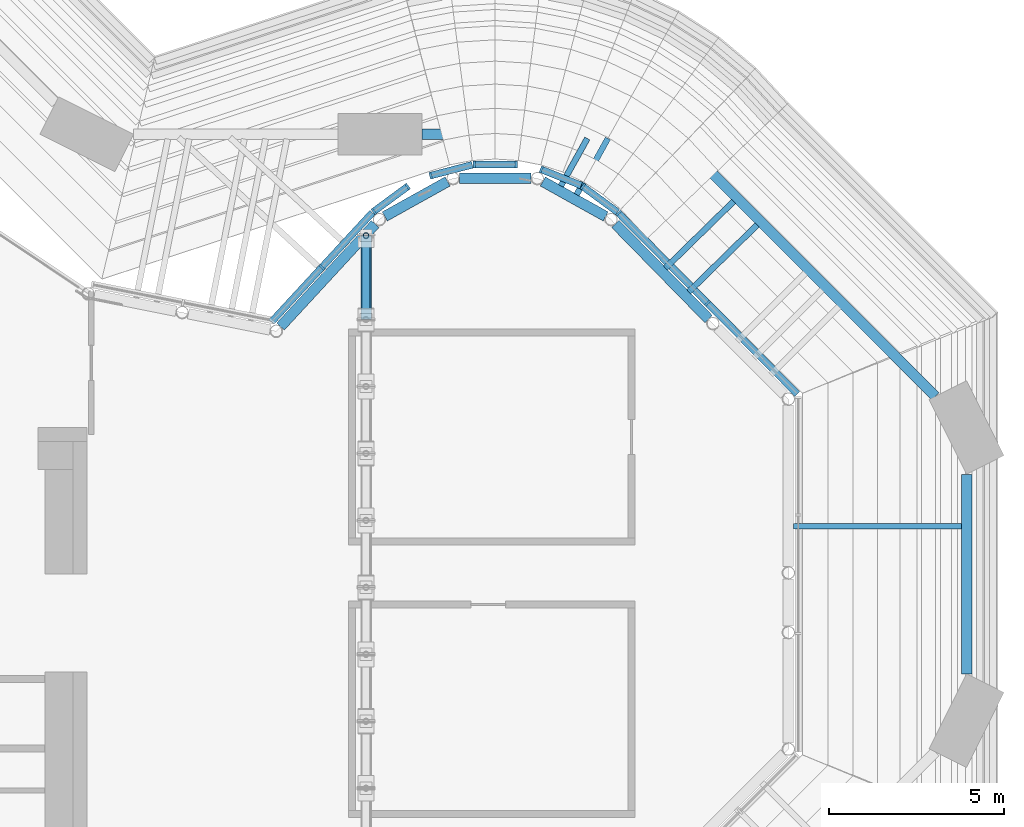
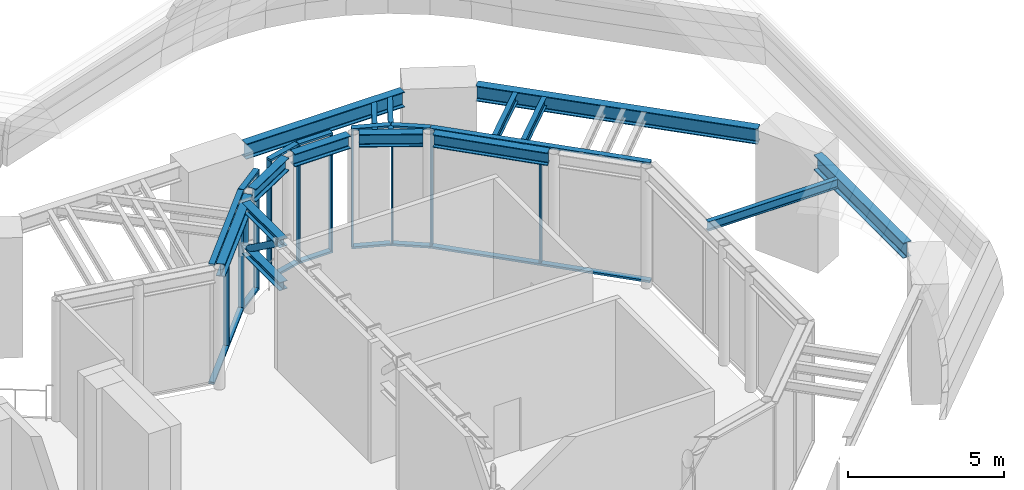
# One storey, part 6 of 20: 28 members, 13 beams, 7 elements without a shape of their own.
"""IFC4 building model written with IfcOpenShell, lengths in metres."""

import ifcopenshell
import ifcopenshell.guid

model = None  # the IFC model being written
_history = None  # IfcOwnerHistory: only IFC2X3 demands one
_inside = {}  # id of a spatial element -> (the spatial element, [elements in it])
_under = {}  # id of a project, library or spatial element -> (it, [spatial elements below it])
_declared = {}  # id of a project -> (the project, [libraries it declares])
_typed = {}  # id of a type object -> (the type object, [elements of that type])
_made_of = {}  # id of a material, layer set ... -> (it, [elements and type objects made of it])


def new_model(schema):
    """Start an empty IFC model of exactly this schema.

    Asked for "IFC4X3", IfcOpenShell would pick the latest addendum, in which some entities
    have other attributes; the version numbers below select the first issue.
    IFC2X3 requires an IfcOwnerHistory on every rooted entity: one is made here for all.
    """
    global model, _history
    if schema == "IFC4X3":
        model = ifcopenshell.file(schema_version=(4, 3, 0, 0))
    else:
        model = ifcopenshell.file(schema=schema)
    _inside.clear()
    _under.clear()
    _declared.clear()
    _typed.clear()
    _made_of.clear()
    _history = None
    if model.schema == "IFC2X3":
        org = make("IfcOrganization", Name="unknown")
        user = make(
            "IfcPersonAndOrganization",
            ThePerson=make("IfcPerson", FamilyName="unknown"),
            TheOrganization=org,
        )
        app = make(
            "IfcApplication",
            ApplicationDeveloper=org,
            Version="unknown",
            ApplicationFullName="unknown",
            ApplicationIdentifier="unknown",
        )
        _history = make(
            "IfcOwnerHistory",
            OwningUser=user,
            OwningApplication=app,
            ChangeAction="ADDED",
            CreationDate=0,
        )
    return model


def make(cls, **values):
    """One entity of the class cls with the attributes given. An attribute that is None is left unset."""
    return model.create_entity(
        cls, **{name: value for name, value in values.items() if value is not None}
    )


def rooted(cls, **values):
    """An entity with a GlobalId (a new one), such as an element, a storey or a relation."""
    return make(cls, GlobalId=ifcopenshell.guid.new(), OwnerHistory=_history, **values)


def si_unit(unit_type, name, prefix=None):
    """IfcSIUnit, for example si_unit("LENGTHUNIT", "METRE", prefix="MILLI")."""
    return make("IfcSIUnit", UnitType=unit_type, Prefix=prefix, Name=name)


def assignment(units):
    """IfcUnitAssignment: the units of a project."""
    return None if units is None else make("IfcUnitAssignment", Units=units)


def point(xyz):
    """IfcCartesianPoint."""
    return None if xyz is None else make("IfcCartesianPoint", Coordinates=xyz)


def direction(xyz):
    """IfcDirection."""
    return None if xyz is None else make("IfcDirection", DirectionRatios=xyz)


def frame(location, z_axis=None, x_axis=None):
    """IfcAxis2Placement3D, a coordinate frame: its origin and axes. An axis left out is left unset."""
    return make(
        "IfcAxis2Placement3D",
        Location=point(location),
        Axis=direction(z_axis),
        RefDirection=direction(x_axis),
    )


def frame_2d(location, x_axis=None):
    """IfcAxis2Placement2D, a coordinate frame in the plane: its origin and x axis."""
    return make(
        "IfcAxis2Placement2D", Location=point(location), RefDirection=direction(x_axis)
    )


def origin():
    """The frame at (0, 0, 0) with its axes left unset."""
    return frame((0.0, 0.0, 0.0))


def origin_2d():
    """The frame at (0, 0) in the plane with its x axis left unset."""
    return frame_2d((0.0, 0.0))


def place(relative_to, where):
    """IfcLocalPlacement: puts the frame where relative to a parent placement (None: the world)."""
    return make(
        "IfcLocalPlacement", PlacementRelTo=relative_to, RelativePlacement=where
    )


def context(
    kind, dimensions, precision=None, world=None, true_north=None, identifier=None
):
    """IfcGeometricRepresentationContext, for example the 3D "Model" context."""
    return make(
        "IfcGeometricRepresentationContext",
        ContextIdentifier=identifier,
        ContextType=kind,
        CoordinateSpaceDimension=dimensions,
        Precision=precision,
        WorldCoordinateSystem=world,
        TrueNorth=true_north,
    )


def subcontext(parent, identifier, kind, view, scale=None):
    """IfcGeometricRepresentationSubContext, for example "Body" below "Model"."""
    return make(
        "IfcGeometricRepresentationSubContext",
        ContextIdentifier=identifier,
        ContextType=kind,
        ParentContext=parent,
        TargetScale=scale,
        TargetView=view,
    )


def project(units=None, contexts=None):
    """IfcProject with its units and contexts."""
    return rooted(
        "IfcProject",
        Name="project",
        RepresentationContexts=contexts,
        UnitsInContext=assignment(units),
    )


def spatial(cls, under=None, at=None, **own):
    """A site, building, storey or space (cls), placed at a placement, below another one or the project."""
    s = rooted(cls, ObjectPlacement=at, **own)
    if under is not None:
        _under.setdefault(under.id(), (under, []))[1].append(s)
    return s


def profile(cls, at=None, kind="AREA", **sizes):
    """A parametric profile (cls). Its sizes go by their IFC names, for example OverallWidth=200.0."""
    return make(cls, ProfileType=kind, Position=at, **sizes)


def rectangle(**sizes):
    """IfcRectangleProfileDef."""
    return profile("IfcRectangleProfileDef", **sizes)


def hollow_circle(**sizes):
    """IfcCircleHollowProfileDef."""
    return profile("IfcCircleHollowProfileDef", **sizes)


def i_section(**sizes):
    """IfcIShapeProfileDef."""
    return profile("IfcIShapeProfileDef", **sizes)


def extrude(swept, where, along, depth):
    """IfcExtrudedAreaSolid: the profile swept, set in the frame where, extruded along a direction by depth."""
    return make(
        "IfcExtrudedAreaSolid",
        SweptArea=swept,
        Position=where,
        ExtrudedDirection=direction(along),
        Depth=depth,
    )


def shape(context_of_items, identifier, shape_type, items):
    """IfcShapeRepresentation: the items that make up one representation, for example the "Body"."""
    return make(
        "IfcShapeRepresentation",
        ContextOfItems=context_of_items,
        RepresentationIdentifier=identifier,
        RepresentationType=shape_type,
        Items=items,
    )


def material(Name=None, Category=None):
    """IfcMaterial."""
    return make("IfcMaterial", Name=Name, Category=Category)


def material_profile(
    of_material, cross_section, Name=None, Category=None, Priority=None
):
    """IfcMaterialProfile: a cross section and its material."""
    return make(
        "IfcMaterialProfile",
        Name=Name,
        Material=of_material,
        Profile=cross_section,
        Priority=Priority,
        Category=Category,
    )


def profile_set(profiles, Name=None, composite=None):
    """IfcMaterialProfileSet."""
    return make(
        "IfcMaterialProfileSet",
        Name=Name,
        MaterialProfiles=profiles,
        CompositeProfile=composite,
    )


def made_of(thing, what):
    """Note that an element or type object is made of a material, layer set ...; save() writes the relation."""
    if what is not None:
        _made_of.setdefault(what.id(), (what, []))[1].append(thing)
    return thing


def type_object(cls, material=None, **own):
    """A type object (cls), such as IfcWallType, which elements share."""
    return made_of(rooted(cls, **own), material)


def element(
    cls,
    number,
    at=None,
    inside=None,
    cuts=None,
    type_object=None,
    material=None,
    context=None,
    identifier="Body",
    shape_type=None,
    held_by="IfcProductDefinitionShape",
    body=None,
    shapes=None,
    **own,
):
    """One element of the class cls, such as IfcWall. Its Tag is "e" and its number.

    at: its placement. inside: the storey or other place that contains it. cuts: it is an
    opening in that element (IfcRelVoidsElement). A single representation is given by context,
    identifier, shape_type and body (its items); several are given by shapes. held_by: the class
    of the entity that holds the representations. save() writes the other relations.
    """
    e = rooted(cls, Tag="e%d" % number, ObjectPlacement=at, **own)
    if body is not None:
        shapes = [shape(context, identifier, shape_type, body)]
    if shapes is not None:
        e.Representation = make(held_by, Representations=shapes)
    if inside is not None:
        _inside.setdefault(inside.id(), (inside, []))[1].append(e)
    if cuts is not None:
        rooted(
            "IfcRelVoidsElement", RelatingBuildingElement=cuts, RelatedOpeningElement=e
        )
    if type_object is not None:
        _typed.setdefault(type_object.id(), (type_object, []))[1].append(e)
    return made_of(e, material)


def aggregate(whole, parts):
    """IfcRelAggregates: a whole, such as a stair, and the parts it consists of."""
    return rooted("IfcRelAggregates", RelatingObject=whole, RelatedObjects=parts)


def save(model, path):
    """Write the relations noted so far, then the file.

    IfcRelAggregates (storeys below a building ...), IfcRelContainedInSpatialStructure (elements
    in a storey), IfcRelDefinesByType, IfcRelAssociatesMaterial and IfcRelDeclares: one each for
    every whole, place, type object, material and project.
    """
    for whole, parts in _under.values():
        aggregate(whole, parts)
    for where, things in _inside.values():
        rooted(
            "IfcRelContainedInSpatialStructure",
            RelatedElements=things,
            RelatingStructure=where,
        )
    for kind, things in _typed.values():
        rooted("IfcRelDefinesByType", RelatedObjects=things, RelatingType=kind)
    for what, things in _made_of.values():
        rooted("IfcRelAssociatesMaterial", RelatedObjects=things, RelatingMaterial=what)
    for by, libraries in _declared.values():
        rooted("IfcRelDeclares", RelatingContext=by, RelatedDefinitions=libraries)
    model.write(path)


model = new_model("IFC4")

# Units and contexts
model_context = context("Model", 3, precision=1e-05, world=origin(), true_north=direction((0.0, 1.0)))
body_context = subcontext(model_context, "Body", "Model", "MODEL_VIEW")
ifc_project = project(units=[si_unit("LENGTHUNIT", "METRE"), si_unit("AREAUNIT", "SQUARE_METRE"), si_unit("VOLUMEUNIT", "CUBIC_METRE"), si_unit("PLANEANGLEUNIT", "RADIAN"), si_unit("MASSUNIT", "GRAM", prefix="KILO")], contexts=[model_context])

# Site, building, storey
site_placement = place(None, origin())
site = spatial("IfcSite", under=ifc_project, at=site_placement, CompositionType="ELEMENT")
building_placement = place(site_placement, origin())
building = spatial("IfcBuilding", under=site, at=building_placement, Name="Brevane Broadcast Tower", CompositionType="ELEMENT")
storey_placement = place(building_placement, frame((0.0, 0.0, 264.199951171875)))
storey = spatial("IfcBuildingStorey", under=building, at=storey_placement, Name="L66", CompositionType="ELEMENT", Elevation=264.199951171875)

# Curtain wall, members
ifc_material_1 = material(Name="Aluminium 6063-T6 bronze anodised", Category="aluminium")
curtain_wall_type = type_object("IfcCurtainWallType", Name="CW-5 curtain wall", PredefinedType="NOTDEFINED", material=ifc_material_1)
curtain_wall_1_placement = place(storey_placement, origin())
curtain_wall_1 = element("IfcCurtainWall", 1, at=curtain_wall_1_placement, inside=storey, type_object=curtain_wall_type, Name="CW-5 gallery glazing 8", PredefinedType="NOTDEFINED")
ifc_material_profile_1 = material_profile(ifc_material_1, rectangle(XDim=0.199951171875, YDim=0.06005859375, at=origin_2d()), Name="RECT 60x200")
ifc_profile_set_1 = profile_set([ifc_material_profile_1], Name="Aluminium 6063-T6 bronze anodised")
member_type_1 = type_object("IfcMemberType", Name="CW-5 hall mullion 60x200", PredefinedType="MULLION", material=ifc_profile_set_1)
member_1_placement = place(storey_placement, frame((42.982666015625, 20.359619140625, 0.080078125), z_axis=(0.0, 0.0, 1.0), x_axis=(-0.711418196275, -0.702768916507, 0.0)))
member_1 = element("IfcMember", 2, at=member_1_placement, type_object=member_type_1, Name="CW-5 gallery glazing mullion", PredefinedType="MULLION", context=body_context, shape_type="SweptSolid", body=[
    extrude(rectangle(XDim=0.199951171875, YDim=0.06005859375, at=origin_2d()), origin(), (0.0, 0.0, 1.0), 4.5400390625),
])
member_2_placement = place(storey_placement, frame((40.435546875, 22.938232421875, 0.080078125), z_axis=(0.0, 0.0, 1.0), x_axis=(-0.711418196275, -0.702768916507, 0.0)))
member_2 = element("IfcMember", 3, at=member_2_placement, type_object=member_type_1, Name="CW-5 gallery glazing mullion", PredefinedType="MULLION", context=body_context, shape_type="SweptSolid", body=[
    extrude(rectangle(XDim=0.199951171875, YDim=0.06005859375, at=origin_2d()), origin(), (0.0, 0.0, 1.0), 4.5400390625),
])

# Curtain wall, member
curtain_wall_2_placement = place(storey_placement, origin())
curtain_wall_2 = element("IfcCurtainWall", 4, at=curtain_wall_2_placement, inside=storey, type_object=curtain_wall_type, Name="CW-5 gallery glazing 9", PredefinedType="NOTDEFINED")
member_3_placement = place(storey_placement, frame((39.409423828125, 23.701171875, 0.080078125), z_axis=(0.0, 0.0, 1.0), x_axis=(-0.593084771795, -0.80514002103, 0.0)))
member_3 = element("IfcMember", 5, at=member_3_placement, type_object=member_type_1, Name="CW-5 gallery glazing mullion", PredefinedType="MULLION", context=body_context, shape_type="SweptSolid", body=[
    extrude(rectangle(XDim=0.199951171875, YDim=0.06005859375, at=origin_2d()), origin(), (0.0, 0.0, 1.0), 4.5400390625),
])

curtain_wall_3_placement = place(storey_placement, origin())
curtain_wall_3 = element("IfcCurtainWall", 6, at=curtain_wall_3_placement, inside=storey, type_object=curtain_wall_type, Name="CW-5 gallery glazing 10", PredefinedType="NOTDEFINED")
member_4_placement = place(storey_placement, frame((38.21826171875, 24.18994140625, 0.080078125), z_axis=(0.0, 0.0, 1.0), x_axis=(-0.371784251491, -0.92831916405, 0.0)))
member_4 = element("IfcMember", 7, at=member_4_placement, type_object=member_type_1, Name="CW-5 gallery glazing mullion", PredefinedType="MULLION", context=body_context, shape_type="SweptSolid", body=[
    extrude(rectangle(XDim=0.199951171875, YDim=0.06005859375, at=origin_2d()), origin(), (0.0, 0.0, 1.0), 4.5400390625),
])

# Curtain wall, members
curtain_wall_4_placement = place(storey_placement, origin())
curtain_wall_4 = element("IfcCurtainWall", 8, at=curtain_wall_4_placement, inside=storey, type_object=curtain_wall_type, Name="CW-5 gallery glazing 11", PredefinedType="NOTDEFINED")
member_5_placement = place(storey_placement, frame((37.501708984375, 24.328125, 0.080078125), z_axis=(0.0, 0.0, 1.0), x_axis=(0.0, -1.0, 0.0)))
member_5 = element("IfcMember", 9, at=member_5_placement, type_object=member_type_1, Name="CW-5 gallery glazing mullion", PredefinedType="MULLION", context=body_context, shape_type="SweptSolid", body=[
    extrude(rectangle(XDim=0.199951171875, YDim=0.06005859375, at=origin_2d()), origin(), (0.0, 0.0, 1.0), 4.5400390625),
])
member_6_placement = place(storey_placement, frame((36.29833984375, 24.328125, 0.080078125), z_axis=(0.0, 0.0, 1.0), x_axis=(0.0, -1.0, 0.0)))
member_6 = element("IfcMember", 10, at=member_6_placement, type_object=member_type_1, Name="CW-5 gallery glazing mullion", PredefinedType="MULLION", context=body_context, shape_type="SweptSolid", body=[
    extrude(rectangle(XDim=0.199951171875, YDim=0.06005859375, at=origin_2d()), origin(), (0.0, 0.0, 1.0), 4.5400390625),
])

# Curtain wall, member
curtain_wall_5_placement = place(storey_placement, origin())
curtain_wall_5 = element("IfcCurtainWall", 11, at=curtain_wall_5_placement, inside=storey, type_object=curtain_wall_type, Name="CW-5 gallery glazing 12", PredefinedType="NOTDEFINED")
member_7_placement = place(storey_placement, frame((35.04931640625, 24.01513671875, 0.080078125), z_axis=(0.0, 0.0, 1.0), x_axis=(0.251232710819, -0.967926714692, 0.0)))
member_7 = element("IfcMember", 12, at=member_7_placement, type_object=member_type_1, Name="CW-5 gallery glazing mullion", PredefinedType="MULLION", context=body_context, shape_type="SweptSolid", body=[
    extrude(rectangle(XDim=0.199951171875, YDim=0.06005859375, at=origin_2d()), origin(), (0.0, 0.0, 1.0), 4.5400390625),
])

# Curtain wall, members
curtain_wall_6_placement = place(storey_placement, origin())
curtain_wall_6 = element("IfcCurtainWall", 13, at=curtain_wall_6_placement, inside=storey, type_object=curtain_wall_type, Name="CW-5 gallery glazing 13", PredefinedType="NOTDEFINED")
member_8_placement = place(storey_placement, frame((34.390380859375, 23.701171875, 0.080078125), z_axis=(0.0, 0.0, 1.0), x_axis=(0.593084771795, -0.80514002103, 0.0)))
member_8 = element("IfcMember", 14, at=member_8_placement, type_object=member_type_1, Name="CW-5 gallery glazing mullion", PredefinedType="MULLION", context=body_context, shape_type="SweptSolid", body=[
    extrude(rectangle(XDim=0.199951171875, YDim=0.06005859375, at=origin_2d()), origin(), (0.0, 0.0, 1.0), 4.5400390625),
])
member_9_placement = place(storey_placement, frame((33.421630859375, 22.987548828125, 0.080078125), z_axis=(0.0, 0.0, 1.0), x_axis=(0.593084771795, -0.80514002103, 0.0)))
member_9 = element("IfcMember", 15, at=member_9_placement, type_object=member_type_1, Name="CW-5 gallery glazing mullion", PredefinedType="MULLION", context=body_context, shape_type="SweptSolid", body=[
    extrude(rectangle(XDim=0.199951171875, YDim=0.06005859375, at=origin_2d()), origin(), (0.0, 0.0, 1.0), 4.5400390625),
])

# Curtain wall, member
curtain_wall_7_placement = place(storey_placement, origin())
curtain_wall_7 = element("IfcCurtainWall", 16, at=curtain_wall_7_placement, inside=storey, type_object=curtain_wall_type, Name="CW-5 gallery glazing 14", PredefinedType="NOTDEFINED")
member_10_placement = place(storey_placement, frame((31.936767578125, 21.39013671875, 0.080078125), z_axis=(0.0, 0.0, 1.0), x_axis=(0.734785014559, -0.678300068097, 0.0)))
member_10 = element("IfcMember", 17, at=member_10_placement, type_object=member_type_1, Name="CW-5 gallery glazing mullion", PredefinedType="MULLION", context=body_context, shape_type="SweptSolid", body=[
    extrude(rectangle(XDim=0.199951171875, YDim=0.06005859375, at=origin_2d()), origin(), (0.0, 0.0, 1.0), 4.5400390625),
])

# Member
ifc_material_profile_2 = material_profile(ifc_material_1, rectangle(XDim=0.199951171875, YDim=0.080078125, at=origin_2d()), Name="RECT 80x200")
ifc_profile_set_2 = profile_set([ifc_material_profile_2], Name="Aluminium 6063-T6 bronze anodised")
member_type_2 = type_object("IfcMemberType", Name="CW-5 hall transom 80x200", PredefinedType="USERDEFINED", material=ifc_profile_set_2)
member_11_placement = place(storey_placement, frame((45.551025390625, 17.759521484375, 0.0400390625), z_axis=(-0.702768053857, 0.711419048436, 0.0), x_axis=(-0.711419048436, -0.702768053857, 0.0)))
member_11 = element("IfcMember", 18, at=member_11_placement, type_object=member_type_2, Name="CW-5 gallery glazing transom", ObjectType="TRANSOM", PredefinedType="USERDEFINED", context=body_context, shape_type="SweptSolid", body=[
    extrude(rectangle(XDim=0.199951171875, YDim=0.080078125, at=origin_2d()), origin(), (0.0, 0.0, 1.0), 7.309326171875),
])

member_12_placement = place(storey_placement, frame((45.551025390625, 17.759521484375, 4.66015625), z_axis=(-0.702768053857, 0.711419048436, 0.0), x_axis=(-0.711419048436, -0.702768053857, 0.0)))
member_12 = element("IfcMember", 19, at=member_12_placement, type_object=member_type_2, Name="CW-5 gallery glazing transom", ObjectType="TRANSOM", PredefinedType="USERDEFINED", context=body_context, shape_type="SweptSolid", body=[
    extrude(rectangle(XDim=0.199951171875, YDim=0.080078125, at=origin_2d()), origin(), (0.0, 0.0, 1.0), 7.309326171875),
])

aggregate(curtain_wall_1, [member_1, member_2, member_11, member_12])

member_13_placement = place(storey_placement, frame((40.402587890625, 22.9697265625, 0.0400390625), z_axis=(-0.805186950029, 0.593021058229, 0.0), x_axis=(-0.593021058229, -0.805186950029, 0.0)))
member_13 = element("IfcMember", 20, at=member_13_placement, type_object=member_type_2, Name="CW-5 gallery glazing transom", ObjectType="TRANSOM", PredefinedType="USERDEFINED", context=body_context, shape_type="SweptSolid", body=[
    extrude(rectangle(XDim=0.199951171875, YDim=0.080078125, at=origin_2d()), origin(), (0.0, 0.0, 1.0), 1.263427734375),
])

member_14_placement = place(storey_placement, frame((40.402587890625, 22.9697265625, 4.66015625), z_axis=(-0.805186950029, 0.593021058229, 0.0), x_axis=(-0.593021058229, -0.805186950029, 0.0)))
member_14 = element("IfcMember", 21, at=member_14_placement, type_object=member_type_2, Name="CW-5 gallery glazing transom", ObjectType="TRANSOM", PredefinedType="USERDEFINED", context=body_context, shape_type="SweptSolid", body=[
    extrude(rectangle(XDim=0.199951171875, YDim=0.080078125, at=origin_2d()), origin(), (0.0, 0.0, 1.0), 1.263427734375),
])

aggregate(curtain_wall_2, [member_3, member_13, member_14])

member_15_placement = place(storey_placement, frame((39.36328125, 23.7314453125, 0.0400390625), z_axis=(-0.928316683475, 0.371790445255, 0.0), x_axis=(-0.371790445255, -0.928316683475, 0.0)))
member_15 = element("IfcMember", 22, at=member_15_placement, type_object=member_type_2, Name="CW-5 gallery glazing transom", ObjectType="TRANSOM", PredefinedType="USERDEFINED", context=body_context, shape_type="SweptSolid", body=[
    extrude(rectangle(XDim=0.199951171875, YDim=0.080078125, at=origin_2d()), origin(), (0.0, 0.0, 1.0), 1.263427734375),
])

member_16_placement = place(storey_placement, frame((39.36328125, 23.7314453125, 4.66015625), z_axis=(-0.928316683475, 0.371790445255, 0.0), x_axis=(-0.371790445255, -0.928316683475, 0.0)))
member_16 = element("IfcMember", 23, at=member_16_placement, type_object=member_type_2, Name="CW-5 gallery glazing transom", ObjectType="TRANSOM", PredefinedType="USERDEFINED", context=body_context, shape_type="SweptSolid", body=[
    extrude(rectangle(XDim=0.199951171875, YDim=0.080078125, at=origin_2d()), origin(), (0.0, 0.0, 1.0), 1.263427734375),
])

aggregate(curtain_wall_3, [member_4, member_15, member_16])

member_17_placement = place(storey_placement, frame((37.53173828125, 24.328125, 0.0400390625), z_axis=(-1.0, 0.0, 0.0), x_axis=(0.0, -1.0, 0.0)))
member_17 = element("IfcMember", 24, at=member_17_placement, type_object=member_type_2, Name="CW-5 gallery glazing transom", ObjectType="TRANSOM", PredefinedType="USERDEFINED", context=body_context, shape_type="SweptSolid", body=[
    extrude(rectangle(XDim=0.199951171875, YDim=0.080078125, at=origin_2d()), origin(), (0.0, 0.0, 1.0), 1.263427734375),
])

member_18_placement = place(storey_placement, frame((37.53173828125, 24.328125, 4.66015625), z_axis=(-1.0, 0.0, 0.0), x_axis=(0.0, -1.0, 0.0)))
member_18 = element("IfcMember", 25, at=member_18_placement, type_object=member_type_2, Name="CW-5 gallery glazing transom", ObjectType="TRANSOM", PredefinedType="USERDEFINED", context=body_context, shape_type="SweptSolid", body=[
    extrude(rectangle(XDim=0.199951171875, YDim=0.080078125, at=origin_2d()), origin(), (0.0, 0.0, 1.0), 1.263427734375),
])

aggregate(curtain_wall_4, [member_5, member_6, member_17, member_18])

member_19_placement = place(storey_placement, frame((36.2431640625, 24.324951171875, 0.0400390625), z_axis=(-0.967932536264, -0.251210280923, 0.0), x_axis=(0.251210280923, -0.967932536264, 0.0)))
member_19 = element("IfcMember", 26, at=member_19_placement, type_object=member_type_2, Name="CW-5 gallery glazing transom", ObjectType="TRANSOM", PredefinedType="USERDEFINED", context=body_context, shape_type="SweptSolid", body=[
    extrude(rectangle(XDim=0.199951171875, YDim=0.080078125, at=origin_2d()), origin(), (0.0, 0.0, 1.0), 1.263427734375),
])

member_20_placement = place(storey_placement, frame((36.2431640625, 24.324951171875, 4.66015625), z_axis=(-0.967932536264, -0.251210280923, 0.0), x_axis=(0.251210280923, -0.967932536264, 0.0)))
member_20 = element("IfcMember", 27, at=member_20_placement, type_object=member_type_2, Name="CW-5 gallery glazing transom", ObjectType="TRANSOM", PredefinedType="USERDEFINED", context=body_context, shape_type="SweptSolid", body=[
    extrude(rectangle(XDim=0.199951171875, YDim=0.080078125, at=origin_2d()), origin(), (0.0, 0.0, 1.0), 1.263427734375),
])

aggregate(curtain_wall_5, [member_7, member_19, member_20])

member_21_placement = place(storey_placement, frame((34.41455078125, 23.718994140625, 0.0400390625), z_axis=(-0.805118980413, -0.593113334346, 0.0), x_axis=(0.593113334346, -0.805118980413, 0.0)))
member_21 = element("IfcMember", 28, at=member_21_placement, type_object=member_type_2, Name="CW-5 gallery glazing transom", ObjectType="TRANSOM", PredefinedType="USERDEFINED", context=body_context, shape_type="SweptSolid", body=[
    extrude(rectangle(XDim=0.199951171875, YDim=0.080078125, at=origin_2d()), origin(), (0.0, 0.0, 1.0), 1.26318359375),
])

member_22_placement = place(storey_placement, frame((34.41455078125, 23.718994140625, 4.66015625), z_axis=(-0.805118980413, -0.593113334346, 0.0), x_axis=(0.593113334346, -0.805118980413, 0.0)))
member_22 = element("IfcMember", 29, at=member_22_placement, type_object=member_type_2, Name="CW-5 gallery glazing transom", ObjectType="TRANSOM", PredefinedType="USERDEFINED", context=body_context, shape_type="SweptSolid", body=[
    extrude(rectangle(XDim=0.199951171875, YDim=0.080078125, at=origin_2d()), origin(), (0.0, 0.0, 1.0), 1.26318359375),
])

aggregate(curtain_wall_6, [member_8, member_9, member_21, member_22])

member_23_placement = place(storey_placement, frame((33.38330078125, 22.95703125, 0.0400390625), z_axis=(-0.678291990513, -0.734792471114, 0.0), x_axis=(0.734792471114, -0.678291990513, 0.0)))
member_23 = element("IfcMember", 30, at=member_23_placement, type_object=member_type_2, Name="CW-5 gallery glazing transom", ObjectType="TRANSOM", PredefinedType="USERDEFINED", context=body_context, shape_type="SweptSolid", body=[
    extrude(rectangle(XDim=0.199951171875, YDim=0.080078125, at=origin_2d()), origin(), (0.0, 0.0, 1.0), 4.264892578125),
])

member_24_placement = place(storey_placement, frame((33.38330078125, 22.95703125, 4.66015625), z_axis=(-0.678291990513, -0.734792471114, 0.0), x_axis=(0.734792471114, -0.678291990513, 0.0)))
member_24 = element("IfcMember", 31, at=member_24_placement, type_object=member_type_2, Name="CW-5 gallery glazing transom", ObjectType="TRANSOM", PredefinedType="USERDEFINED", context=body_context, shape_type="SweptSolid", body=[
    extrude(rectangle(XDim=0.199951171875, YDim=0.080078125, at=origin_2d()), origin(), (0.0, 0.0, 1.0), 4.264892578125),
])

aggregate(curtain_wall_7, [member_10, member_23, member_24])

# Beams
ifc_material_2 = material(Name="Steel S355", Category="steel")
ifc_material_profile_3 = material_profile(ifc_material_2, i_section(OverallWidth=0.169921875, OverallDepth=0.360107421875, WebThickness=0.008056640625, FlangeThickness=0.0126953125, FilletRadius=0.01806640625, at=origin_2d()), Name="IPE 360")
ifc_profile_set_3 = profile_set([ifc_material_profile_3], Name="Steel S355")
beam_type_1 = type_object("IfcBeamType", Name="STEEL CANOPY RAFTER IPE 360 S355", PredefinedType="BEAM", material=ifc_profile_set_3)
beam_1_placement = place(storey_placement, frame((38.78125, 23.718994140625, 4.52001953125), z_axis=(0.486402594389, 0.873734808836, 0.0), x_axis=(-0.873734808836, 0.486402594389, 0.0)))
element("IfcBeam", 32, at=beam_1_placement, inside=storey, type_object=beam_type_1, Name="SB2 17", PredefinedType="BEAM", context=body_context, shape_type="SweptSolid", body=[
    extrude(i_section(OverallWidth=0.169921875, OverallDepth=0.360107421875, WebThickness=0.008056640625, FlangeThickness=0.0126953125, FilletRadius=0.01806640625, at=origin_2d()), origin(), (0.0, 0.0, 1.0), 1.554931640625),
])
beam_2_placement = place(storey_placement, frame((39.2314453125, 23.468505859375, 4.52001953125), z_axis=(0.486284412429, 0.87380058951, 0.0), x_axis=(-0.87380058951, 0.486284412429, 0.0)))
element("IfcBeam", 33, at=beam_2_placement, inside=storey, type_object=beam_type_1, Name="SB2 18", PredefinedType="BEAM", context=body_context, shape_type="SweptSolid", body=[
    extrude(i_section(OverallWidth=0.169921875, OverallDepth=0.360107421875, WebThickness=0.008056640625, FlangeThickness=0.0126953125, FilletRadius=0.01806640625, at=origin_2d()), origin(), (0.0, 0.0, 1.0), 1.841552734375),
])
beam_3_placement = place(storey_placement, frame((41.777587890625, 21.366455078125, 4.52001953125), z_axis=(0.714584049691, 0.699549595045, 0.0), x_axis=(-0.699549595045, 0.714584049691, 0.0)))
element("IfcBeam", 34, at=beam_3_placement, inside=storey, type_object=beam_type_1, Name="SB2 19", PredefinedType="BEAM", context=body_context, shape_type="SweptSolid", body=[
    extrude(i_section(OverallWidth=0.169921875, OverallDepth=0.360107421875, WebThickness=0.008056640625, FlangeThickness=0.0126953125, FilletRadius=0.01806640625, at=origin_2d()), origin(), (0.0, 0.0, 1.0), 2.72802734375),
])
beam_4_placement = place(storey_placement, frame((42.44482421875, 20.68505859375, 4.52001953125), z_axis=(0.714600487229, 0.699532803843, 0.0), x_axis=(-0.699532803843, 0.714600487229, 0.0)))
element("IfcBeam", 35, at=beam_4_placement, inside=storey, type_object=beam_type_1, Name="SB2 20", PredefinedType="BEAM", context=body_context, shape_type="SweptSolid", body=[
    extrude(i_section(OverallWidth=0.169921875, OverallDepth=0.360107421875, WebThickness=0.008056640625, FlangeThickness=0.0126953125, FilletRadius=0.01806640625, at=origin_2d()), origin(), (0.0, 0.0, 1.0), 2.73828125),
])
beam_5_placement = place(storey_placement, frame((45.43994140625, 13.969970703125, 4.52001953125), z_axis=(1.0, 0.0, 0.0), x_axis=(0.0, 1.0, 0.0)))
element("IfcBeam", 36, at=beam_5_placement, inside=storey, type_object=beam_type_1, Name="SB2 24", PredefinedType="BEAM", context=body_context, shape_type="SweptSolid", body=[
    extrude(i_section(OverallWidth=0.169921875, OverallDepth=0.360107421875, WebThickness=0.008056640625, FlangeThickness=0.0126953125, FilletRadius=0.01806640625, at=origin_2d()), origin(), (0.0, 0.0, 1.0), 4.820068359375),
])
ifc_material_profile_4 = material_profile(ifc_material_2, i_section(OverallWidth=0.300048828125, OverallDepth=0.60009765625, WebThickness=0.015380859375, FlangeThickness=0.030029296875, FilletRadius=0.027099609375, at=origin_2d()), Name="HE 600 B")
ifc_profile_set_4 = profile_set([ifc_material_profile_4], Name="Steel S355")
beam_type_2 = type_object("IfcBeamType", Name="STEEL CANOPY RING BEAM HE 600 B S355", PredefinedType="BEAM", material=ifc_profile_set_4)
beam_6_placement = place(storey_placement, frame((50.39990234375, 9.74169921875, 4.400146484375), z_axis=(0.0, 1.0, 0.0), x_axis=(-1.0, 0.0, 0.0)))
element("IfcBeam", 37, at=beam_6_placement, inside=storey, type_object=beam_type_2, Name="SB1 3", PredefinedType="BEAM", context=body_context, shape_type="SweptSolid", body=[
    extrude(i_section(OverallWidth=0.300048828125, OverallDepth=0.60009765625, WebThickness=0.015380859375, FlangeThickness=0.030029296875, FilletRadius=0.027099609375, at=origin_2d()), origin(), (0.0, 0.0, 1.0), 5.716552734375),
])
beam_7_placement = place(storey_placement, frame((49.505615234375, 17.6943359375, 4.400146484375), z_axis=(-0.707093724939, 0.707119837193, 0.0), x_axis=(-0.707119837193, -0.707093724939, 0.0)))
element("IfcBeam", 38, at=beam_7_placement, inside=storey, type_object=beam_type_2, Name="SB1 4", PredefinedType="BEAM", context=body_context, shape_type="SweptSolid", body=[
    extrude(i_section(OverallWidth=0.300048828125, OverallDepth=0.60009765625, WebThickness=0.015380859375, FlangeThickness=0.030029296875, FilletRadius=0.027099609375, at=origin_2d()), origin(), (0.0, 0.0, 1.0), 9.349609375),
])
beam_8_placement = place(storey_placement, frame((40.658447265625, 25.199951171875, 4.400146484375), z_axis=(-1.0, 0.0, 0.0), x_axis=(0.0, -1.0, 0.0)))
element("IfcBeam", 39, at=beam_8_placement, inside=storey, type_object=beam_type_2, Name="SB1 5", PredefinedType="BEAM", context=body_context, shape_type="SweptSolid", body=[
    extrude(i_section(OverallWidth=0.300048828125, OverallDepth=0.60009765625, WebThickness=0.015380859375, FlangeThickness=0.030029296875, FilletRadius=0.027099609375, at=origin_2d()), origin(), (0.0, 0.0, 1.0), 5.8583984375),
])
ifc_material_profile_5 = material_profile(ifc_material_2, i_section(OverallWidth=0.300048828125, OverallDepth=0.5, WebThickness=0.014404296875, FlangeThickness=0.028076171875, FilletRadius=0.027099609375, at=origin_2d()), Name="HE 500 B")
ifc_profile_set_5 = profile_set([ifc_material_profile_5], Name="Steel S355")
beam_type_3 = type_object("IfcBeamType", Name="STEEL ENCLOSURE RING BEAM HE 500 B S355", PredefinedType="BEAM", material=ifc_profile_set_5)
beam_9_placement = place(storey_placement, frame((30.748046875, 19.689697265625, 4.449951171875), z_axis=(0.678307993334, 0.734777698477, 0.0), x_axis=(-0.734777698477, 0.678307993334, 0.0)))
element("IfcBeam", 40, at=beam_9_placement, inside=storey, type_object=beam_type_3, Name="SB3 E9", PredefinedType="BEAM", context=body_context, shape_type="SweptSolid", body=[
    extrude(i_section(OverallWidth=0.300048828125, OverallDepth=0.5, WebThickness=0.014404296875, FlangeThickness=0.028076171875, FilletRadius=0.027099609375, at=origin_2d()), origin(), (0.0, 0.0, 1.0), 3.9990234375),
])
for number, where, z_axis, x_axis, name in (
    (41, (33.736572265625, 22.84521484375, 4.449951171875), (0.873788121862, 0.486306814771, 0.0), (-0.486306814771, 0.873788121862, 0.0), "SB3 E10"),
    (42, (35.869873046875, 23.93359375, 4.449951171875), (1.0, 0.0, 0.0), (0.0, 1.0, 0.0), "SB3 E11"),
    (43, (38.26318359375, 23.84716796875, 4.449951171875), (0.873788121862, -0.486306814771, 0.0), (0.486306814771, 0.873788121862, 0.0), "SB3 E12"),
):
    element("IfcBeam", number, at=place(storey_placement, frame(where, z_axis=z_axis, x_axis=x_axis)), inside=storey, type_object=beam_type_3, Name=name, PredefinedType="BEAM", context=body_context, shape_type="SweptSolid", body=[
        extrude(i_section(OverallWidth=0.300048828125, OverallDepth=0.5, WebThickness=0.014404296875, FlangeThickness=0.028076171875, FilletRadius=0.027099609375, at=origin_2d()), origin(), (0.0, 0.0, 1.0), 2.060302734375),
    ])
beam_10_placement = place(storey_placement, frame((40.343017578125, 22.6318359375, 4.449951171875), z_axis=(0.69954788044, -0.714585728217, 0.0), x_axis=(0.714585728217, 0.69954788044, 0.0)))
element("IfcBeam", 44, at=beam_10_placement, inside=storey, type_object=beam_type_3, Name="SB3 E13", PredefinedType="BEAM", context=body_context, shape_type="SweptSolid", body=[
    extrude(i_section(OverallWidth=0.300048828125, OverallDepth=0.5, WebThickness=0.014404296875, FlangeThickness=0.028076171875, FilletRadius=0.027099609375, at=origin_2d()), origin(), (0.0, 0.0, 1.0), 3.815185546875),
])

# Members
ifc_material_profile_6 = material_profile(ifc_material_2, i_section(OverallWidth=0.300048828125, OverallDepth=0.320068359375, WebThickness=0.011474609375, FlangeThickness=0.0205078125, FilletRadius=0.027099609375, at=origin_2d()), Name="HE 320 B")
ifc_profile_set_6 = profile_set([ifc_material_profile_6], Name="Steel S355")
member_type_3 = type_object("IfcMemberType", Name="STEEL ROOF TRUSS CHORD HE 320 B S355", PredefinedType="CHORD", material=ifc_profile_set_6)
for number, where, z_axis, x_axis, name in (
    (45, (33.199951171875, 19.892333984375, 4.5400390625), (0.0, 1.0, 0.0), (-1.0, 0.0, 0.0), "TC4 3T10"),
    (46, (33.199951171875, 19.892333984375, 2.860107421875), (0.0, 1.0, 0.0), (-1.0, 0.0, 0.0), "TC4 3B10"),
):
    element("IfcMember", number, at=place(storey_placement, frame(where, z_axis=z_axis, x_axis=x_axis)), inside=storey, type_object=member_type_3, Name=name, PredefinedType="CHORD", context=body_context, shape_type="SweptSolid", body=[
        extrude(i_section(OverallWidth=0.300048828125, OverallDepth=0.320068359375, WebThickness=0.011474609375, FlangeThickness=0.0205078125, FilletRadius=0.027099609375, at=origin_2d()), origin(), (0.0, 0.0, 1.0), 2.4033203125),
    ])
ifc_material_profile_7 = material_profile(ifc_material_2, hollow_circle(Radius=0.122314453125, WallThickness=0.010009765625, at=origin_2d()), Name="CHS 244.5x10")
ifc_profile_set_7 = profile_set([ifc_material_profile_7], Name="Steel S355")
member_type_4 = type_object("IfcMemberType", Name="STEEL ROOF TRUSS DIAGONAL CHS 244.5x10 S355", PredefinedType="BRACE", material=ifc_profile_set_7)
member_25_placement = place(storey_placement, frame((33.199951171875, 22.091552734375, 2.97998046875), z_axis=(0.0, -0.810820486705, 0.585294915696), x_axis=(1.0, 0.0, 0.0)))
element("IfcMember", 47, at=member_25_placement, inside=storey, type_object=member_type_4, Name="TD4 3-10", PredefinedType="BRACE", context=body_context, shape_type="SweptSolid", body=[
    extrude(hollow_circle(Radius=0.122314453125, WallThickness=0.010009765625, at=origin_2d()), origin(), (0.0, 0.0, 1.0), 2.460693359375),
])
ifc_material_profile_8 = material_profile(ifc_material_2, hollow_circle(Radius=0.084228515625, WallThickness=0.012451171875, at=origin_2d()), Name="CHS 168.3x12.5")
ifc_profile_set_8 = profile_set([ifc_material_profile_8], Name="Steel S355")
member_type_5 = type_object("IfcMemberType", Name="STEEL ROOF TRUSS POST CHS 168.3x12.5 S355", PredefinedType="STUD", material=ifc_profile_set_8)
member_26_placement = place(storey_placement, frame((33.199951171875, 22.295654296875, 3.02001953125), z_axis=(0.0, 0.0, 1.0), x_axis=(1.0, 0.0, 0.0)))
element("IfcMember", 48, at=member_26_placement, inside=storey, type_object=member_type_5, Name="TV4 3-11", PredefinedType="STUD", context=body_context, shape_type="SweptSolid", body=[
    extrude(hollow_circle(Radius=0.084228515625, WallThickness=0.012451171875, at=origin_2d()), origin(), (0.0, 0.0, 1.0), 1.360107421875),
])

save(model, "model.ifc")
